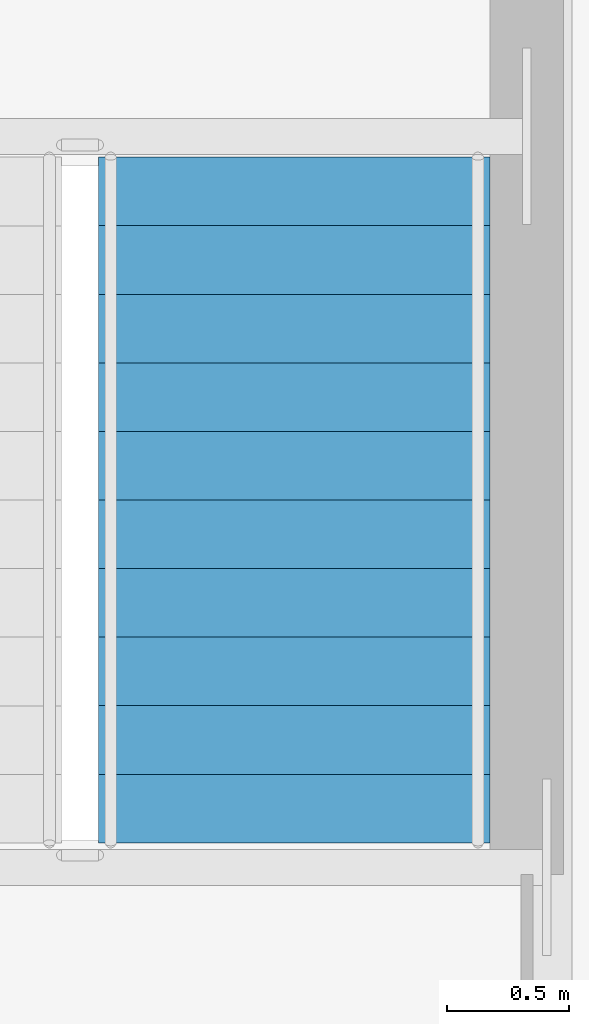
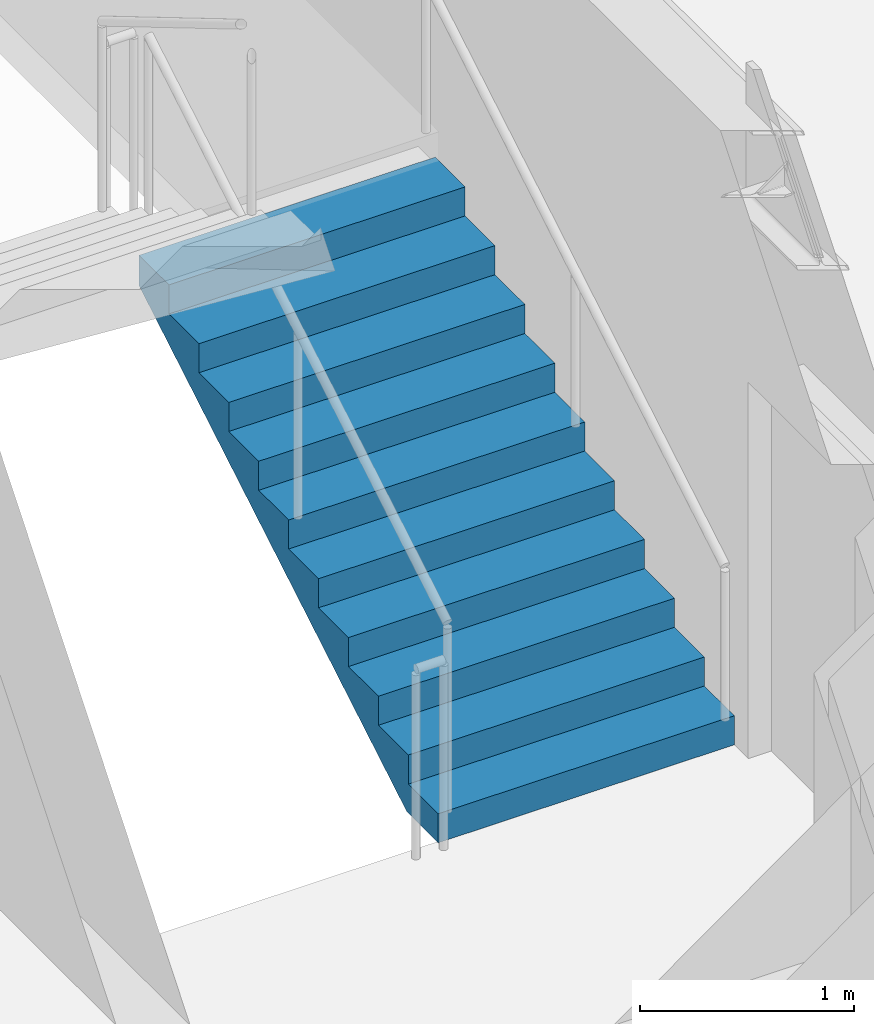
# One storey, part 13 of 14: 1 stair flight, 1 element without a shape of its own.
"""IFC4 building model written with IfcOpenShell, lengths in metres."""

from ifc_helpers import new_model, si_unit, direction, frame, origin, place, context, subcontext, project, spatial, polyline, outline, extrude, material, type_object, element, aggregate, save


model = new_model("IFC4")

# Units and contexts
model_context = context("Model", 3, precision=1e-05, world=origin(), true_north=direction((0.0, 1.0)))
body_context = subcontext(model_context, "Body", "Model", "MODEL_VIEW")
ifc_project = project(units=[si_unit("LENGTHUNIT", "METRE"), si_unit("AREAUNIT", "SQUARE_METRE"), si_unit("VOLUMEUNIT", "CUBIC_METRE"), si_unit("PLANEANGLEUNIT", "RADIAN"), si_unit("MASSUNIT", "GRAM", prefix="KILO")], contexts=[model_context])

# Site, building, storey
site_placement = place(None, origin())
site = spatial("IfcSite", under=ifc_project, at=site_placement, CompositionType="ELEMENT")
building_placement = place(site_placement, origin())
building = spatial("IfcBuilding", under=site, at=building_placement, Name="Khamvora Tower", CompositionType="ELEMENT")
storey_placement = place(building_placement, frame((0.0, 0.0, 231.800048828125)))
storey = spatial("IfcBuildingStorey", under=building, at=storey_placement, Name="L59", CompositionType="ELEMENT", Elevation=231.800048828125)

# Stair, stair flight
ifc_material = material(Name="Concrete C40/50", Category="concrete")
stair_type = type_object("IfcStairType", Name="STR-ST-02", PredefinedType="HALF_TURN_STAIR", material=ifc_material)
stair_placement = place(storey_placement, origin())
stair = element("IfcStair", 1, at=stair_placement, inside=storey, type_object=stair_type, Name="L59 North Tower Exit Stair ST-02", PredefinedType="HALF_TURN_STAIR")
stair_flight_type = type_object("IfcStairFlightType", Name="STF-ST-02", PredefinedType="STRAIGHT", material=ifc_material)
stair_flight_placement = place(storey_placement, frame((31.699951171875, 29.85009765625, 0.0), z_axis=(0.0, 0.0, 1.0), x_axis=(0.0, 1.0, 0.0)))
stair_flight = element("IfcStairFlight", 2, at=stair_flight_placement, type_object=stair_flight_type, Name="ST-02 flight 1", NumberOfRisers=11, NumberOfTreads=10, PredefinedType="STRAIGHT", RiserHeight=0.165909091, TreadLength=0.28, context=body_context, shape_type="SweptSolid", body=[
    extrude(outline(polyline([(0.0, 0.0), (0.0, 0.166015625), (0.280029296875, 0.166015625), (0.280029296875, 0.331787109375), (0.56005859375, 0.331787109375), (0.56005859375, 0.497802734375), (0.840087890625, 0.497802734375), (0.840087890625, 0.66357421875), (1.1201171875, 0.66357421875), (1.1201171875, 0.82958984375), (1.39990234375, 0.82958984375), (1.39990234375, 0.995361328125), (1.679931640625, 0.995361328125), (1.679931640625, 1.161376953125), (1.9599609375, 1.161376953125), (1.9599609375, 1.327392578125), (2.239990234375, 1.327392578125), (2.239990234375, 1.4931640625), (2.52001953125, 1.4931640625), (2.52001953125, 1.6591796875), (2.800048828125, 1.6591796875), (2.800048828125, 1.824951171875), (2.800048828125, 1.48486328125), (0.2939453125, 0.0), (0.0, 0.0)])), frame((0.0, 0.800048828125, 0.0), z_axis=(0.0, -1.0, 0.0), x_axis=(1.0, 0.0, 0.0)), (0.0, 0.0, 1.0), 1.60009765625),
])
aggregate(stair, [stair_flight])

save(model, "model.ifc")
